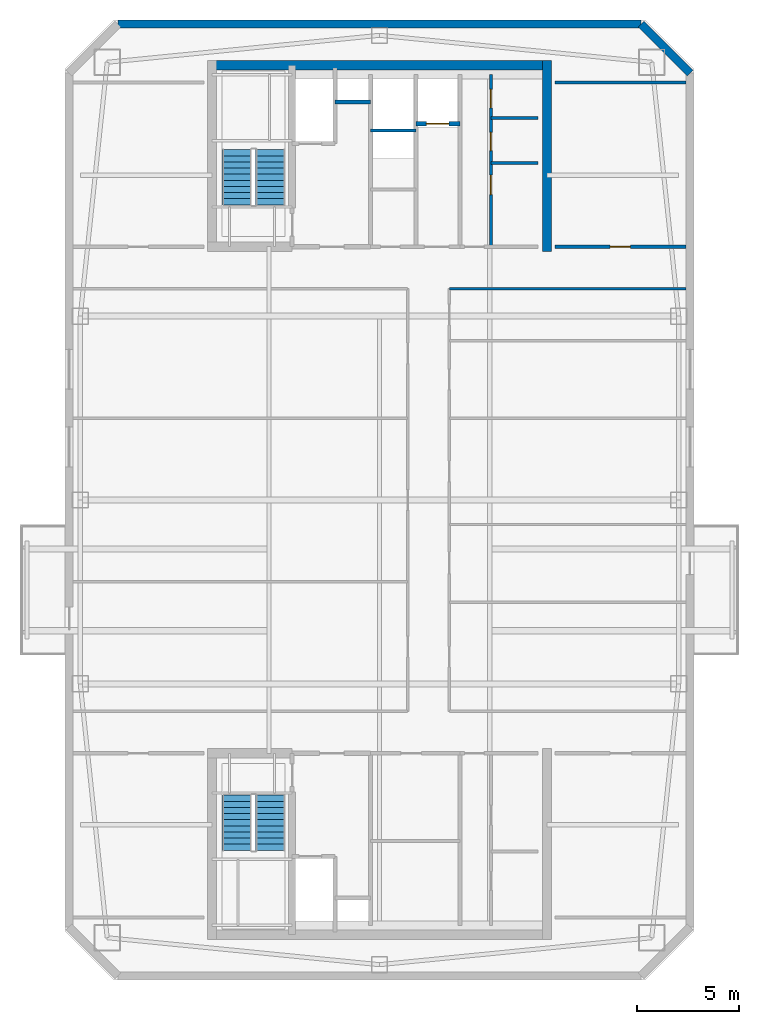
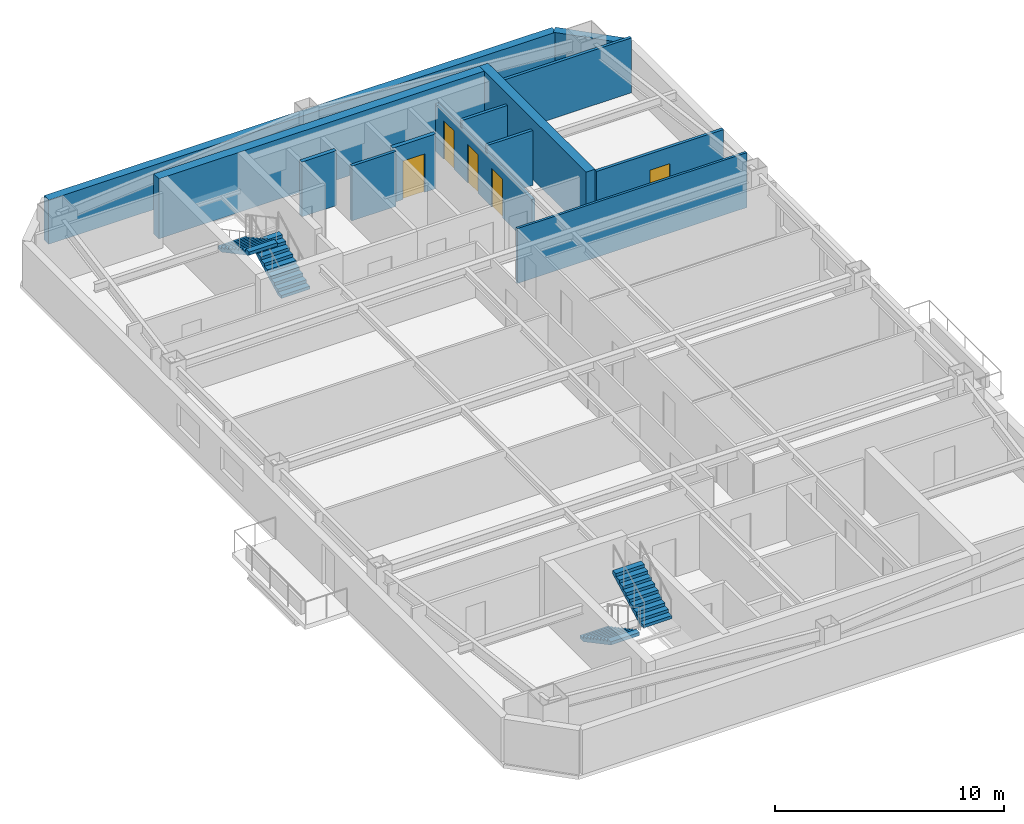
# One storey, part 4 of 6: 13 walls, 5 doors, 4 stair flights, 5 openings, 2 elements without a shape of their own.
"""IFC4 building model written with IfcOpenShell, lengths in metres."""

from ifc_helpers import new_model, si_unit, direction, frame, frame_2d, origin, place, context, subcontext, project, spatial, polyline, rectangle, outline, extrude, material, layer, layer_set, type_object, element, fill, aggregate, save


model = new_model("IFC4")

# Units and contexts
model_context = context("Model", 3, precision=1e-05, world=origin(), true_north=direction((0.0, 1.0)))
body_context = subcontext(model_context, "Body", "Model", "MODEL_VIEW")
ifc_project = project(units=[si_unit("LENGTHUNIT", "METRE"), si_unit("AREAUNIT", "SQUARE_METRE"), si_unit("VOLUMEUNIT", "CUBIC_METRE"), si_unit("PLANEANGLEUNIT", "RADIAN"), si_unit("MASSUNIT", "GRAM", prefix="KILO")], contexts=[model_context])

# Site, building, storey
site_placement = place(None, origin())
site = spatial("IfcSite", under=ifc_project, at=site_placement, CompositionType="ELEMENT")
building_placement = place(site_placement, origin())
building = spatial("IfcBuilding", under=site, at=building_placement, Name="Qiaolan Cultural Towers", CompositionType="ELEMENT")
storey_placement = place(building_placement, frame((0.0, 0.0, 269.60009765625)))
storey = spatial("IfcBuildingStorey", under=building, at=storey_placement, Name="L74", CompositionType="ELEMENT", Elevation=269.60009765625)

# Walls
ifc_material_1 = material(Name="Concrete C50", Category="concrete")
ifc_layer_1 = layer(ifc_material_1, 0.449951171875)
ifc_layer_set_1 = layer_set([ifc_layer_1], Name="Concrete C50")
wall_type_1 = type_object("IfcWallType", Name="WL-CORE-450", PredefinedType="SHEAR", material=ifc_layer_set_1)
wall_1_placement = place(storey_placement, frame((21.574951171875, 55.280029296875, 0.0), z_axis=(0.0, 0.0, 1.0), x_axis=(1.0, 0.0, 0.0)))
element("IfcWall", 1, at=wall_1_placement, inside=storey, type_object=wall_type_1, Name="L74 T1-CN Outer Core Shear Wall", PredefinedType="SHEAR", context=body_context, shape_type="SweptSolid", body=[
    extrude(rectangle(XDim=16.85009765625, YDim=0.449951171875, at=frame_2d((8.425048828125, 0.0))), origin(), (0.0, 0.0, 1.0), 3.199951171875),
])
wall_2_placement = place(storey_placement, frame((38.199951171875, 46.175048828125, 0.0), z_axis=(0.0, 0.0, 1.0), x_axis=(0.0, 1.0, 0.0)))
element("IfcWall", 2, at=wall_2_placement, inside=storey, type_object=wall_type_1, Name="L74 T1-CN East Core Shear Wall", PredefinedType="SHEAR", context=body_context, shape_type="SweptSolid", body=[
    extrude(rectangle(XDim=9.329833984375, YDim=0.449951171875, at=frame_2d((4.6650390625, 0.0))), origin(), (0.0, 0.0, 1.0), 3.199951171875),
])
ifc_material_2 = material(Name="Precast Concrete C50 Honed Stone Pier", Category="masonry")
ifc_layer_2 = layer(ifc_material_2, 0.39990234375)
ifc_layer_set_2 = layer_set([ifc_layer_2], Name="Precast Concrete C50 Honed Stone Pier")
wall_type_2 = type_object("IfcWallType", Name="WL-EXT-PIER-400", PredefinedType="SOLIDWALL", material=ifc_layer_set_2)
wall_3_placement = place(storey_placement, frame((17.199951171875, 57.300048828125, 0.0), z_axis=(0.0, 0.0, 1.0), x_axis=(1.0, 0.0, 0.0)))
element("IfcWall", 3, at=wall_3_placement, inside=storey, type_object=wall_type_2, Name="L74 West Tower Precast Pier Facade Wall F3", PredefinedType="SOLIDWALL", context=body_context, shape_type="SweptSolid", body=[
    extrude(rectangle(XDim=25.60009765625, YDim=0.39990234375, at=frame_2d((12.800048828125, 0.0))), origin(), (0.0, 0.0, 1.0), 2.35986328125),
])
wall_4_placement = place(storey_placement, frame((42.800048828125, 57.300048828125, 0.0), z_axis=(0.0, 0.0, 1.0), x_axis=(0.707070815327, -0.707142745217, 0.0)))
element("IfcWall", 4, at=wall_4_placement, inside=storey, type_object=wall_type_2, Name="L74 West Tower Precast Pier Facade Wall F4", PredefinedType="SOLIDWALL", context=body_context, shape_type="SweptSolid", body=[
    extrude(rectangle(XDim=3.39404296875, YDim=0.39990234375, at=frame_2d((1.697021484375, 0.0))), origin(), (0.0, 0.0, 1.0), 2.35986328125),
])
ifc_material_3 = material(Name="Concrete C35 Fire Wall", Category="concrete")
ifc_layer_3 = layer(ifc_material_3, 0.199951171875)
ifc_layer_set_3 = layer_set([ifc_layer_3], Name="Concrete C35 Fire Wall")
wall_type_3 = type_object("IfcWallType", Name="WL-FIRE-200", PredefinedType="PARTITIONING", material=ifc_layer_set_3)
wall_5_placement = place(storey_placement, frame((27.820068359375, 53.47998046875, 0.0), z_axis=(0.0, 0.0, 1.0), x_axis=(1.0, 0.0, 0.0)))
element("IfcWall", 5, at=wall_5_placement, inside=storey, type_object=wall_type_3, Name="L74 T1-CN Pressurization Shaft Front Wall", PredefinedType="PARTITIONING", context=body_context, shape_type="SweptSolid", body=[
    extrude(rectangle(XDim=1.72998046875, YDim=0.199951171875, at=frame_2d((0.864990234375, 0.0))), origin(), (0.0, 0.0, 1.0), 2.9248046875),
])

# Wall, opening, door
wall_6_placement = place(storey_placement, frame((31.780029296875, 52.419921875, 0.0), z_axis=(0.0, 0.0, 1.0), x_axis=(1.0, 0.0, 0.0)))
wall_6 = element("IfcWall", 6, at=wall_6_placement, inside=storey, type_object=wall_type_3, Name="L74 T1-CN Shuttle Lift Shaft Front", PredefinedType="PARTITIONING", context=body_context, shape_type="SweptSolid", body=[
    extrude(rectangle(XDim=2.169921875, YDim=0.199951171875, at=frame_2d((1.0849609375, 0.0))), origin(), (0.0, 0.0, 1.0), 2.9248046875),
])
opening_1_placement = place(wall_6_placement, frame((0.52001953125, 0.0, 0.0)))
opening_1 = element("IfcOpeningElement", 7, at=opening_1_placement, cuts=wall_6, Name="Opening LD-01", PredefinedType="OPENING", context=body_context, shape_type="SweptSolid", body=[
    extrude(rectangle(XDim=1.10009765625, YDim=2.050048828125, at=frame_2d((0.550048828125, 1.02490234375))), frame((0.0, 0.10986328125, 0.0), z_axis=(0.0, -1.0, 0.0), x_axis=(1.0, 0.0, 0.0)), (0.0, 0.0, 1.0), 0.219970703125),
])
ifc_material_4 = material(Name="Brushed Stainless Steel S30408 Centre-Parting Lift Landing Door", Category="steel")
door_type_1 = type_object("IfcDoorType", Name="DR-LIFT-1100", OperationType="NOTDEFINED", PredefinedType="DOOR", material=ifc_material_4)
door_1_placement = place(opening_1_placement, origin())
door_1 = element("IfcDoor", 8, at=door_1_placement, inside=storey, type_object=door_type_1, Name="L74 Sky Shuttle Lift Landing Door", OperationType="DOUBLE_DOOR_SLIDING", OverallHeight=2.050048828125, OverallWidth=1.10009765625, PredefinedType="DOOR", context=body_context, shape_type="SweptSolid", body=[
    extrude(rectangle(XDim=1.10009765625, YDim=2.050048828125, at=frame_2d((0.550048828125, 1.02490234375))), frame((0.0, 0.02490234375, 0.0), z_axis=(0.0, -1.0, 0.0), x_axis=(1.0, 0.0, 0.0)), (0.0, 0.0, 1.0), 0.050048828125),
])
fill(opening_1, door_1)

# Walls
ifc_material_5 = material(Name="Gypsum Stud Acoustic Partition", Category="gypsum")
ifc_layer_4 = layer(ifc_material_5, 0.1201171875)
ifc_layer_set_4 = layer_set([ifc_layer_4], Name="Gypsum Stud Acoustic Partition")
wall_type_4 = type_object("IfcWallType", Name="WL-PART-120", PredefinedType="PARTITIONING", material=ifc_layer_set_4)
wall_7_placement = place(storey_placement, frame((33.425048828125, 44.35009765625, 0.0), z_axis=(0.0, 0.0, 1.0), x_axis=(1.0, 0.0, 0.0)))
element("IfcWall", 9, at=wall_7_placement, inside=storey, type_object=wall_type_4, Name="L74 T1 North Corridor Right Wall", PredefinedType="PARTITIONING", context=body_context, shape_type="SweptSolid", body=[
    extrude(rectangle(XDim=11.574951171875, YDim=0.1201171875, at=frame_2d((5.78759765625, 0.0))), origin(), (0.0, 0.0, 1.0), 2.9248046875),
])
ifc_material_6 = material(Name="Autoclaved Aerated Concrete Block B06", Category="concrete")
ifc_layer_5 = layer(ifc_material_6, 0.14990234375)
ifc_layer_set_5 = layer_set([ifc_layer_5], Name="Autoclaved Aerated Concrete Block B06")
wall_type_5 = type_object("IfcWallType", Name="WL-PART-150", PredefinedType="PARTITIONING", material=ifc_layer_set_5)
wall_8_placement = place(storey_placement, frame((29.550048828125, 52.10009765625, 0.0), z_axis=(0.0, 0.0, 1.0), x_axis=(1.0, 0.0, 0.0)))
element("IfcWall", 10, at=wall_8_placement, inside=storey, type_object=wall_type_5, Name="L74 T1-CN High-Zone Reclaimed Split 2", PredefinedType="PARTITIONING", context=body_context, shape_type="SweptSolid", body=[
    extrude(rectangle(XDim=2.22998046875, YDim=0.14990234375, at=frame_2d((1.114990234375, 0.0))), origin(), (0.0, 0.0, 1.0), 2.9248046875),
])

# Wall, openings, doors
wall_9_placement = place(storey_placement, frame((35.449951171875, 46.39990234375, 0.0), z_axis=(0.0, 0.0, 1.0), x_axis=(0.0, 1.0, 0.0)))
wall_9 = element("IfcWall", 11, at=wall_9_placement, inside=storey, type_object=wall_type_5, Name="L74 T1-CN Sanitary Vestibule Wall", PredefinedType="PARTITIONING", context=body_context, shape_type="SweptSolid", body=[
    extrude(rectangle(XDim=8.43017578125, YDim=0.14990234375, at=frame_2d((4.215087890625, 0.0))), origin(), (0.0, 0.0, 1.0), 2.514892578125),
])
opening_2_placement = place(wall_9_placement, frame((2.550048828125, 0.0, 0.0)))
opening_2 = element("IfcOpeningElement", 12, at=opening_2_placement, cuts=wall_9, Name="Opening ID-05", PredefinedType="OPENING", context=body_context, shape_type="SweptSolid", body=[
    extrude(rectangle(XDim=0.949951171875, YDim=2.050048828125, at=frame_2d((0.47509765625, 1.02490234375))), frame((0.0, 0.0849609375, 0.0), z_axis=(0.0, -1.0, 0.0), x_axis=(1.0, 0.0, 0.0)), (0.0, 0.0, 1.0), 0.169921875),
])
opening_3_placement = place(wall_9_placement, frame((4.699951171875, 0.0, 0.0)))
opening_3 = element("IfcOpeningElement", 13, at=opening_3_placement, cuts=wall_9, Name="Opening ID-06", PredefinedType="OPENING", context=body_context, shape_type="SweptSolid", body=[
    extrude(rectangle(XDim=0.89990234375, YDim=2.050048828125, at=frame_2d((0.449951171875, 1.02490234375))), frame((0.0, 0.0849609375, 0.0), z_axis=(0.0, -1.0, 0.0), x_axis=(1.0, 0.0, 0.0)), (0.0, 0.0, 1.0), 0.169921875),
])
opening_4_placement = place(wall_9_placement, frame((6.800048828125, 0.0, 0.0)))
opening_4 = element("IfcOpeningElement", 14, at=opening_4_placement, cuts=wall_9, Name="Opening ID-06", PredefinedType="OPENING", context=body_context, shape_type="SweptSolid", body=[
    extrude(rectangle(XDim=0.89990234375, YDim=2.050048828125, at=frame_2d((0.449951171875, 1.02490234375))), frame((0.0, 0.0849609375, 0.0), z_axis=(0.0, -1.0, 0.0), x_axis=(1.0, 0.0, 0.0)), (0.0, 0.0, 1.0), 0.169921875),
])
ifc_material_7 = material(Name="Fire-Rated Laminate Core Service Door", Category="timber")
door_type_2 = type_object("IfcDoorType", Name="DR-INT-900", OperationType="NOTDEFINED", PredefinedType="DOOR", material=ifc_material_7)
door_2_placement = place(opening_3_placement, origin())
door_2 = element("IfcDoor", 15, at=door_2_placement, inside=storey, type_object=door_type_2, Name="L74 Men Washroom Door", OperationType="SINGLE_SWING_LEFT", OverallHeight=2.050048828125, OverallWidth=0.89990234375, PredefinedType="DOOR", context=body_context, shape_type="SweptSolid", body=[
    extrude(rectangle(XDim=0.89990234375, YDim=2.050048828125, at=frame_2d((0.449951171875, 1.02490234375))), frame((0.0, 0.02490234375, 0.0), z_axis=(0.0, -1.0, 0.0), x_axis=(1.0, 0.0, 0.0)), (0.0, 0.0, 1.0), 0.050048828125),
])
fill(opening_3, door_2)
door_3_placement = place(opening_4_placement, origin())
door_3 = element("IfcDoor", 16, at=door_3_placement, inside=storey, type_object=door_type_2, Name="L74 Women Washroom Door", OperationType="SINGLE_SWING_RIGHT", OverallHeight=2.050048828125, OverallWidth=0.89990234375, PredefinedType="DOOR", context=body_context, shape_type="SweptSolid", body=[
    extrude(rectangle(XDim=0.89990234375, YDim=2.050048828125, at=frame_2d((0.449951171875, 1.02490234375))), frame((0.0, 0.02490234375, 0.0), z_axis=(0.0, -1.0, 0.0), x_axis=(1.0, 0.0, 0.0)), (0.0, 0.0, 1.0), 0.050048828125),
])
fill(opening_4, door_3)
ifc_material_8 = material(Name="Fire-Rated Laminate Accessible Core Door", Category="timber")
door_type_3 = type_object("IfcDoorType", Name="DR-INT-950", OperationType="NOTDEFINED", PredefinedType="DOOR", material=ifc_material_8)
door_4_placement = place(opening_2_placement, origin())
door_4 = element("IfcDoor", 17, at=door_4_placement, inside=storey, type_object=door_type_3, Name="L74 Accessible Family Washroom Door", OperationType="SINGLE_SWING_LEFT", OverallHeight=2.050048828125, OverallWidth=0.949951171875, PredefinedType="DOOR", context=body_context, shape_type="SweptSolid", body=[
    extrude(rectangle(XDim=0.949951171875, YDim=2.050048828125, at=frame_2d((0.47509765625, 1.02490234375))), frame((0.0, 0.02490234375, 0.0), z_axis=(0.0, -1.0, 0.0), x_axis=(1.0, 0.0, 0.0)), (0.0, 0.0, 1.0), 0.050048828125),
])
fill(opening_2, door_4)

# Walls
for number, where, z_axis, x_axis, name in (
    (18, (35.449951171875, 50.5, 0.0), (0.0, 0.0, 1.0), (1.0, 0.0, 0.0), "L74 T1-CN Restroom Split Wall 1"),
    (19, (35.449951171875, 52.699951171875, 0.0), (0.0, 0.0, 1.0), (1.0, 0.0, 0.0), "L74 T1-CN Restroom Split Wall 2"),
):
    element("IfcWall", number, at=place(storey_placement, frame(where, z_axis=z_axis, x_axis=x_axis)), inside=storey, type_object=wall_type_5, Name=name, PredefinedType="PARTITIONING", context=body_context, shape_type="SweptSolid", body=[
        extrude(rectangle(XDim=2.300048828125, YDim=0.14990234375, at=frame_2d((1.14990234375, 0.0))), origin(), (0.0, 0.0, 1.0), 2.9248046875),
    ])
wall_10_placement = place(storey_placement, frame((38.60009765625, 54.449951171875, 0.0), z_axis=(0.0, 0.0, 1.0), x_axis=(1.0, 0.0, 0.0)))
element("IfcWall", 20, at=wall_10_placement, inside=storey, type_object=wall_type_5, Name="L74 T1 Flank Wall FLK-NE", PredefinedType="PARTITIONING", context=body_context, shape_type="SweptSolid", body=[
    extrude(rectangle(XDim=6.39990234375, YDim=0.14990234375, at=frame_2d((3.199951171875, 0.0))), origin(), (0.0, 0.0, 1.0), 2.9248046875),
])

# Wall, opening, door
wall_11_placement = place(storey_placement, frame((38.60009765625, 46.39990234375, 0.0), z_axis=(0.0, 0.0, 1.0), x_axis=(1.0, 0.0, 0.0)))
wall_11 = element("IfcWall", 21, at=wall_11_placement, inside=storey, type_object=wall_type_5, Name="L74 T1 Flank Front FLK-NE", PredefinedType="PARTITIONING", context=body_context, shape_type="SweptSolid", body=[
    extrude(rectangle(XDim=6.39990234375, YDim=0.14990234375, at=frame_2d((3.199951171875, 0.0))), origin(), (0.0, 0.0, 1.0), 2.9248046875),
])
opening_5_placement = place(wall_11_placement, frame((2.68798828125, 0.0, 0.0)))
opening_5 = element("IfcOpeningElement", 22, at=opening_5_placement, cuts=wall_11, Name="Opening ID-04", PredefinedType="OPENING", context=body_context, shape_type="SweptSolid", body=[
    extrude(rectangle(XDim=1.0, YDim=2.050048828125, at=frame_2d((0.5, 1.02490234375))), frame((0.0, 0.0849609375, 0.0), z_axis=(0.0, -1.0, 0.0), x_axis=(1.0, 0.0, 0.0)), (0.0, 0.0, 1.0), 0.169921875),
])
ifc_material_9 = material(Name="Oak Veneer Acoustic Office Door", Category="timber")
door_type_4 = type_object("IfcDoorType", Name="DR-INT-1000", OperationType="NOTDEFINED", PredefinedType="DOOR", material=ifc_material_9)
door_5_placement = place(opening_5_placement, origin())
door_5 = element("IfcDoor", 23, at=door_5_placement, inside=storey, type_object=door_type_4, Name="L74 T1 Corner Studio Door", OperationType="SINGLE_SWING_LEFT", OverallHeight=2.050048828125, OverallWidth=1.0, PredefinedType="DOOR", context=body_context, shape_type="SweptSolid", body=[
    extrude(rectangle(XDim=1.0, YDim=2.050048828125, at=frame_2d((0.5, 1.02490234375))), frame((0.0, 0.02490234375, 0.0), z_axis=(0.0, -1.0, 0.0), x_axis=(1.0, 0.0, 0.0)), (0.0, 0.0, 1.0), 0.050048828125),
])
fill(opening_5, door_5)

# Stair, stair flights
ifc_material_10 = material(Name="Concrete C45", Category="concrete")
stair_type = type_object("IfcStairType", Name="STR-CORE-1500", PredefinedType="HALF_TURN_STAIR", material=ifc_material_10)
stair_1_placement = place(storey_placement, origin())
stair_1 = element("IfcStair", 24, at=stair_1_placement, inside=storey, type_object=stair_type, Name="L74 Smokeproof Exit Stair ST-W1", PredefinedType="HALF_TURN_STAIR")
ifc_material_11 = material(Name="Concrete C45", Category="concrete")
stair_flight_type = type_object("IfcStairFlightType", Name="STR-CORE-1500-FL", PredefinedType="STRAIGHT", material=ifc_material_11)
stair_flight_1_placement = place(storey_placement, frame((23.02001953125, 19.550048828125, 0.0), z_axis=(0.0, 0.0, 1.0), x_axis=(0.0, -1.0, 0.0)))
stair_flight_1 = element("IfcStairFlight", 25, at=stair_flight_1_placement, type_object=stair_flight_type, Name="ST-W1 flight 1", NumberOfRisers=10, NumberOfTreads=9, PredefinedType="STRAIGHT", RiserHeight=0.16, TreadLength=0.3, context=body_context, shape_type="SweptSolid", body=[
    extrude(outline(polyline([(0.0, 0.0), (0.0, 0.159912109375), (0.300048828125, 0.159912109375), (0.300048828125, 0.320068359375), (0.60009765625, 0.320068359375), (0.60009765625, 0.47998046875), (0.89990234375, 0.47998046875), (0.89990234375, 0.639892578125), (1.199951171875, 0.639892578125), (1.199951171875, 0.800048828125), (1.5, 0.800048828125), (1.5, 0.9599609375), (1.800048828125, 0.9599609375), (1.800048828125, 1.1201171875), (2.10009765625, 1.1201171875), (2.10009765625, 1.280029296875), (2.39990234375, 1.280029296875), (2.39990234375, 1.43994140625), (2.699951171875, 1.43994140625), (2.699951171875, 1.60009765625), (2.699951171875, 1.27001953125), (0.318603515625, 0.0), (0.0, 0.0)])), frame((0.0, 0.719970703125, 0.0), z_axis=(0.0, -1.0, 0.0), x_axis=(1.0, 0.0, 0.0)), (0.0, 0.0, 1.0), 1.43994140625),
])
stair_flight_2_placement = place(storey_placement, frame((24.659912109375, 16.85009765625, 1.599853515625), z_axis=(0.0, 0.0, 1.0), x_axis=(0.0, 1.0, 0.0)))
stair_flight_2 = element("IfcStairFlight", 26, at=stair_flight_2_placement, type_object=stair_flight_type, Name="ST-W1 flight 2", NumberOfRisers=10, NumberOfTreads=9, PredefinedType="STRAIGHT", RiserHeight=0.16, TreadLength=0.3, context=body_context, shape_type="SweptSolid", body=[
    extrude(outline(polyline([(0.0, 0.0), (0.0, 0.159912109375), (0.300048828125, 0.159912109375), (0.300048828125, 0.320068359375), (0.60009765625, 0.320068359375), (0.60009765625, 0.47998046875), (0.89990234375, 0.47998046875), (0.89990234375, 0.639892578125), (1.199951171875, 0.639892578125), (1.199951171875, 0.800048828125), (1.5, 0.800048828125), (1.5, 0.9599609375), (1.800048828125, 0.9599609375), (1.800048828125, 1.1201171875), (2.10009765625, 1.1201171875), (2.10009765625, 1.280029296875), (2.39990234375, 1.280029296875), (2.39990234375, 1.43994140625), (2.699951171875, 1.43994140625), (2.699951171875, 1.60009765625), (2.699951171875, 1.27001953125), (0.318603515625, 0.0), (0.0, 0.0)])), frame((0.0, 0.719970703125, 0.0), z_axis=(0.0, -1.0, 0.0), x_axis=(1.0, 0.0, 0.0)), (0.0, 0.0, 1.0), 1.43994140625),
])
aggregate(stair_1, [stair_flight_1, stair_flight_2])

stair_2_placement = place(storey_placement, origin())
stair_2 = element("IfcStair", 27, at=stair_2_placement, inside=storey, type_object=stair_type, Name="L74 Smokeproof Exit Stair ST-W2", PredefinedType="HALF_TURN_STAIR")
stair_flight_3_placement = place(storey_placement, frame((24.659912109375, 48.449951171875, 0.0), z_axis=(0.0, 0.0, 1.0), x_axis=(0.0, 1.0, 0.0)))
stair_flight_3 = element("IfcStairFlight", 28, at=stair_flight_3_placement, type_object=stair_flight_type, Name="ST-W2 flight 1", NumberOfRisers=10, NumberOfTreads=9, PredefinedType="STRAIGHT", RiserHeight=0.16, TreadLength=0.3, context=body_context, shape_type="SweptSolid", body=[
    extrude(outline(polyline([(0.0, 0.0), (0.0, 0.159912109375), (0.300048828125, 0.159912109375), (0.300048828125, 0.320068359375), (0.60009765625, 0.320068359375), (0.60009765625, 0.47998046875), (0.89990234375, 0.47998046875), (0.89990234375, 0.639892578125), (1.199951171875, 0.639892578125), (1.199951171875, 0.800048828125), (1.5, 0.800048828125), (1.5, 0.9599609375), (1.800048828125, 0.9599609375), (1.800048828125, 1.1201171875), (2.10009765625, 1.1201171875), (2.10009765625, 1.280029296875), (2.39990234375, 1.280029296875), (2.39990234375, 1.43994140625), (2.699951171875, 1.43994140625), (2.699951171875, 1.60009765625), (2.699951171875, 1.27001953125), (0.318603515625, 0.0), (0.0, 0.0)])), frame((0.0, 0.719970703125, 0.0), z_axis=(0.0, -1.0, 0.0), x_axis=(1.0, 0.0, 0.0)), (0.0, 0.0, 1.0), 1.43994140625),
])
stair_flight_4_placement = place(storey_placement, frame((23.02001953125, 51.14990234375, 1.599853515625), z_axis=(0.0, 0.0, 1.0), x_axis=(0.0, -1.0, 0.0)))
stair_flight_4 = element("IfcStairFlight", 29, at=stair_flight_4_placement, type_object=stair_flight_type, Name="ST-W2 flight 2", NumberOfRisers=10, NumberOfTreads=9, PredefinedType="STRAIGHT", RiserHeight=0.16, TreadLength=0.3, context=body_context, shape_type="SweptSolid", body=[
    extrude(outline(polyline([(0.0, 0.0), (0.0, 0.159912109375), (0.300048828125, 0.159912109375), (0.300048828125, 0.320068359375), (0.60009765625, 0.320068359375), (0.60009765625, 0.47998046875), (0.89990234375, 0.47998046875), (0.89990234375, 0.639892578125), (1.199951171875, 0.639892578125), (1.199951171875, 0.800048828125), (1.5, 0.800048828125), (1.5, 0.9599609375), (1.800048828125, 0.9599609375), (1.800048828125, 1.1201171875), (2.10009765625, 1.1201171875), (2.10009765625, 1.280029296875), (2.39990234375, 1.280029296875), (2.39990234375, 1.43994140625), (2.699951171875, 1.43994140625), (2.699951171875, 1.60009765625), (2.699951171875, 1.27001953125), (0.318603515625, 0.0), (0.0, 0.0)])), frame((0.0, 0.719970703125, 0.0), z_axis=(0.0, -1.0, 0.0), x_axis=(1.0, 0.0, 0.0)), (0.0, 0.0, 1.0), 1.43994140625),
])
aggregate(stair_2, [stair_flight_3, stair_flight_4])

save(model, "model.ifc")
